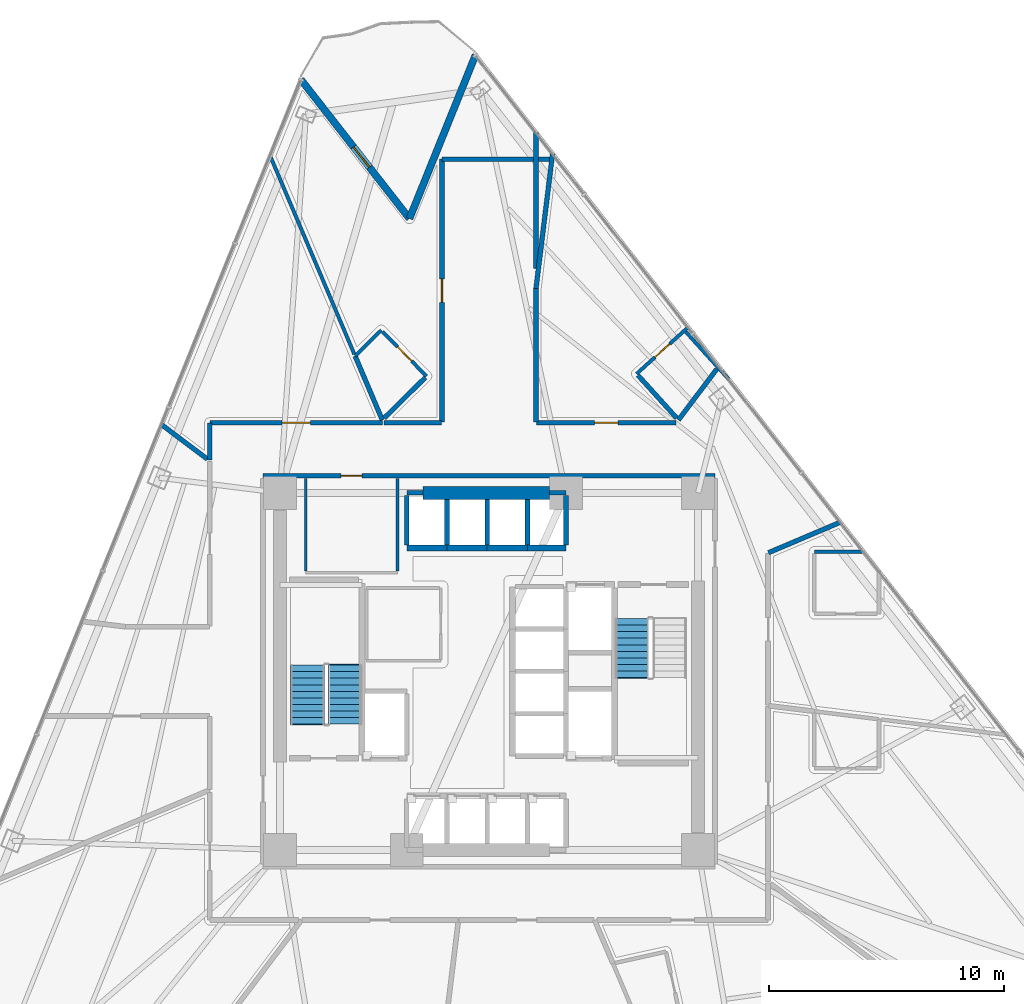
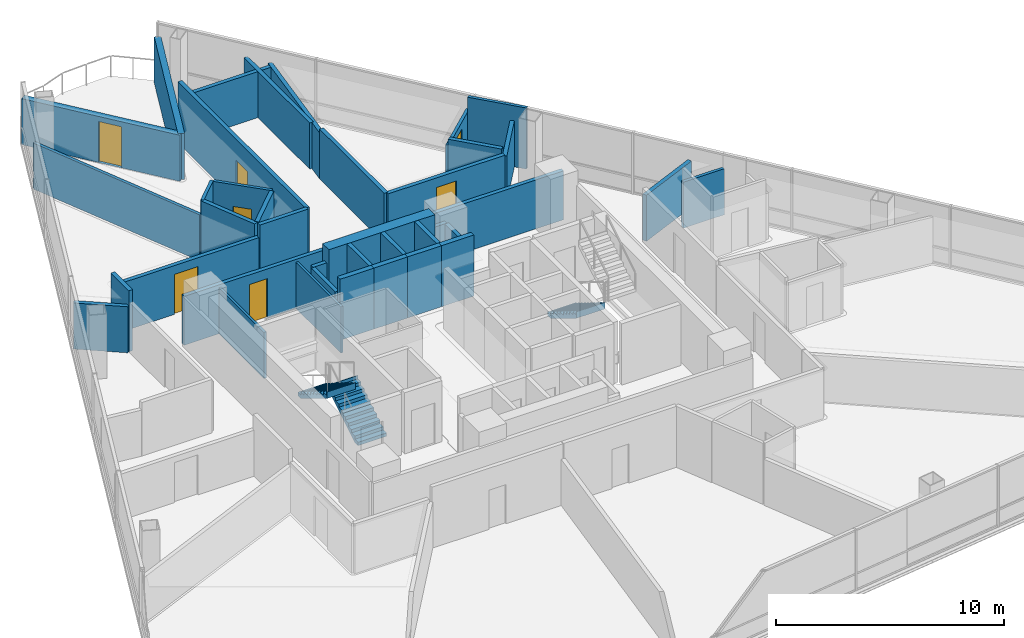
# One storey, part 9 of 15: 39 walls, 7 doors, 3 stair flights, 7 openings, 2 elements without a shape of their own.
"""IFC4 building model written with IfcOpenShell, lengths in metres."""

from ifc_helpers import new_model, si_unit, direction, frame, frame_2d, origin, place, context, subcontext, project, spatial, polyline, rectangle, outline, extrude, material, layer, layer_set, type_object, element, fill, aggregate, save


model = new_model("IFC4")

# Units and contexts
model_context = context("Model", 3, precision=1e-05, world=origin(), true_north=direction((0.0, 1.0)))
body_context = subcontext(model_context, "Body", "Model", "MODEL_VIEW")
ifc_project = project(units=[si_unit("LENGTHUNIT", "METRE"), si_unit("AREAUNIT", "SQUARE_METRE"), si_unit("VOLUMEUNIT", "CUBIC_METRE"), si_unit("PLANEANGLEUNIT", "RADIAN"), si_unit("MASSUNIT", "GRAM", prefix="KILO")], contexts=[model_context])

# Site, building, storey
site_placement = place(None, origin())
site = spatial("IfcSite", under=ifc_project, at=site_placement, CompositionType="ELEMENT")
building_placement = place(site_placement, origin())
building = spatial("IfcBuilding", under=site, at=building_placement, Name="Tharavind Bronze Gate", CompositionType="ELEMENT")
storey_placement = place(building_placement, frame((0.0, 0.0, 74.199951171875)))
storey = spatial("IfcBuildingStorey", under=building, at=storey_placement, Name="L18", CompositionType="ELEMENT", Elevation=74.199951171875)

# Wall
ifc_material_1 = material(Name="Concrete C40/50", Category="concrete")
ifc_layer_1 = layer(ifc_material_1, 0.300048828125)
ifc_layer_set_1 = layer_set([ifc_layer_1], Name="Concrete C40/50")
wall_type_1 = type_object("IfcWallType", Name="EXTERIOR SPANDREL WALL 300", PredefinedType="STANDARD", material=ifc_layer_set_1)
wall_1_placement = place(storey_placement, frame((-0.57373046875, 26.226806640625, 0.0), z_axis=(0.0, 0.0, 1.0), x_axis=(-0.374609979755, -0.92718248639, 0.0)))
element("IfcWall", 1, at=wall_1_placement, inside=storey, type_object=wall_type_1, Name="L18 notch cheek wall 1A", PredefinedType="STANDARD", context=body_context, shape_type="SweptSolid", body=[
    extrude(rectangle(XDim=7.5, YDim=0.300048828125, at=frame_2d((3.75, 0.0))), origin(), (0.0, 0.0, 1.0), 2.469970703125),
])

# Wall, opening, door
wall_2_placement = place(storey_placement, frame((-3.38330078125, 19.27294921875, 0.0), z_axis=(0.0, 0.0, 1.0), x_axis=(-0.615654149001, 0.788016477504, 0.0)))
wall_2 = element("IfcWall", 2, at=wall_2_placement, inside=storey, type_object=wall_type_1, Name="L18 notch cheek wall 1B", PredefinedType="STANDARD", context=body_context, shape_type="SweptSolid", body=[
    extrude(rectangle(XDim=7.5, YDim=0.300048828125, at=frame_2d((3.75, 0.0))), origin(), (0.0, 0.0, 1.0), 2.469970703125),
])
opening_1_placement = place(wall_2_placement, frame((2.76806640625, 0.0, 0.0)))
opening_1 = element("IfcOpeningElement", 3, at=opening_1_placement, cuts=wall_2, Name="Opening ED04", PredefinedType="OPENING", context=body_context, shape_type="SweptSolid", body=[
    extrude(rectangle(XDim=1.10009765625, YDim=2.199951171875, at=frame_2d((0.550048828125, 1.10009765625))), frame((0.0, 0.15990234375, 0.0), z_axis=(0.0, -1.0, 0.0), x_axis=(1.0, 0.0, 0.0)), (0.0, 0.0, 1.0), 0.320048828125),
])
ifc_material_2 = material(Name="Bronze Aluminium & Toughened Glass", Category="aluminium")
door_type_1 = type_object("IfcDoorType", Name="TREE BALCONY ACCESS DOOR 1100X2200", OperationType="SINGLE_SWING_LEFT", PredefinedType="DOOR", material=ifc_material_2)
door_1_placement = place(opening_1_placement, origin())
door_1 = element("IfcDoor", 4, at=door_1_placement, inside=storey, type_object=door_type_1, Name="L18 tree balcony access door", OperationType="SINGLE_SWING_LEFT", OverallHeight=2.199951171875, OverallWidth=1.10009765625, PredefinedType="DOOR", context=body_context, shape_type="SweptSolid", body=[
    extrude(rectangle(XDim=1.10009765625, YDim=2.199951171875, at=frame_2d((0.550048828125, 1.10009765625))), frame((0.0, 0.02490234375, 0.0), z_axis=(0.0, -1.0, 0.0), x_axis=(1.0, 0.0, 0.0)), (0.0, 0.0, 1.0), 0.050048828125),
])
fill(opening_1, door_1)

ifc_material_3 = material(Name="Aerated Concrete Block", Category="concrete")
ifc_layer_2 = layer(ifc_material_3, 0.199951171875)
ifc_layer_set_2 = layer_set([ifc_layer_2], Name="Aerated Concrete Block")
wall_type_2 = type_object("IfcWallType", Name="FIRE RATED PARTITION 200", PredefinedType="PARTITIONING", material=ifc_layer_set_2)
wall_3_placement = place(storey_placement, frame((9.6201171875, 8.320068359375, 0.0), z_axis=(0.0, 0.0, 1.0), x_axis=(-1.0, 0.0, 0.0)))
wall_3 = element("IfcWall", 5, at=wall_3_placement, inside=storey, type_object=wall_type_2, Name="L18 north core corridor wall", PredefinedType="PARTITIONING", context=body_context, shape_type="SweptSolid", body=[
    extrude(rectangle(XDim=19.240234375, YDim=0.199951171875, at=frame_2d((9.6201171875, 0.0))), origin(), (0.0, 0.0, 1.0), 2.6201171875),
])
opening_2_placement = place(wall_3_placement, frame((15.02001953125, 0.0, 0.0)))
opening_2 = element("IfcOpeningElement", 6, at=opening_2_placement, cuts=wall_3, Name="Opening ID07", PredefinedType="OPENING", context=body_context, shape_type="SweptSolid", body=[
    extrude(rectangle(XDim=0.89990234375, YDim=2.10009765625, at=frame_2d((0.449951171875, 1.050048828125))), frame((0.0, 0.11009765625, 0.0), z_axis=(0.0, -1.0, 0.0), x_axis=(1.0, 0.0, 0.0)), (0.0, 0.0, 1.0), 0.219951171875),
])
ifc_material_4 = material(Name="Galvanised Fire Steel", Category="steel")
door_type_2 = type_object("IfcDoorType", Name="PLANT AND RISER FIRE DOOR 900X2100", OperationType="SINGLE_SWING_LEFT", PredefinedType="DOOR", material=ifc_material_4)
door_2_placement = place(opening_2_placement, frame((0.89990234375, 0.0, 0.0), z_axis=(0.0, 0.0, 1.0), x_axis=(-1.0, 0.0, 0.0)))
door_2 = element("IfcDoor", 7, at=door_2_placement, inside=storey, type_object=door_type_2, Name="L18 Electrical Switch Room fire door", OperationType="SINGLE_SWING_LEFT", OverallHeight=2.10009765625, OverallWidth=0.89990234375, PredefinedType="DOOR", context=body_context, shape_type="SweptSolid", body=[
    extrude(rectangle(XDim=0.89990234375, YDim=2.10009765625, at=frame_2d((0.449951171875, 1.050048828125))), frame((0.0, 0.02490234375, 0.0), z_axis=(0.0, -1.0, 0.0), x_axis=(1.0, 0.0, 0.0)), (0.0, 0.0, 1.0), 0.050048828125),
])
fill(opening_2, door_2)

# Walls
wall_4_placement = place(storey_placement, frame((9.69921875, 12.87109375, 0.0), z_axis=(0.0, 0.0, 1.0), x_axis=(-0.601851899486, -0.798607720401, 0.0)))
element("IfcWall", 8, at=wall_4_placement, inside=storey, type_object=wall_type_2, Name="L18 En-Suite Bathroom partition", PredefinedType="PARTITIONING", context=body_context, shape_type="SweptSolid", body=[
    extrude(rectangle(XDim=2.71875, YDim=0.199951171875, at=frame_2d((1.359375, 0.0))), origin(), (0.0, 0.0, 1.0), 2.469970703125),
])
wall_5_placement = place(storey_placement, frame((7.9912109375, 10.779296875, 0.0), z_axis=(0.0, 0.0, 1.0), x_axis=(-0.671043084401, 0.741418356178, 0.0)))
element("IfcWall", 9, at=wall_5_placement, inside=storey, type_object=wall_type_2, Name="L18 En-Suite Bathroom partition", PredefinedType="PARTITIONING", context=body_context, shape_type="SweptSolid", body=[
    extrude(rectangle(XDim=2.463134765625, YDim=0.199951171875, at=frame_2d((1.2314453125, 0.0))), origin(), (0.0, 0.0, 1.0), 2.8701171875),
])
wall_6_placement = place(storey_placement, frame((-4.5419921875, 10.699951171875, 0.0), z_axis=(0.0, 0.0, 1.0), x_axis=(-0.390708837986, 0.920514314891, 0.0)))
element("IfcWall", 10, at=wall_6_placement, inside=storey, type_object=wall_type_2, Name="L18 En-Suite Bathroom partition", PredefinedType="PARTITIONING", context=body_context, shape_type="SweptSolid", body=[
    extrude(rectangle(XDim=2.95751953125, YDim=0.199951171875, at=frame_2d((1.478759765625, 0.0))), origin(), (0.0, 0.0, 1.0), 3.275146484375),
])
wall_7_placement = place(storey_placement, frame((-2.71142578125, 12.50390625, 0.0), z_axis=(0.0, 0.0, 1.0), x_axis=(-0.712254930427, -0.701920874517, 0.0)))
element("IfcWall", 11, at=wall_7_placement, inside=storey, type_object=wall_type_2, Name="L18 En-Suite Bathroom partition", PredefinedType="PARTITIONING", context=body_context, shape_type="SweptSolid", body=[
    extrude(rectangle(XDim=2.45703125, YDim=0.199951171875, at=frame_2d((1.228515625, 0.0))), origin(), (0.0, 0.0, 1.0), 3.275146484375),
])

# Wall, opening, door
wall_8_placement = place(storey_placement, frame((7.960205078125, 10.580078125, 0.0), z_axis=(0.0, 0.0, 1.0), x_axis=(-1.0, 0.0, 0.0)))
wall_8 = element("IfcWall", 12, at=wall_8_placement, inside=storey, type_object=wall_type_2, Name="L18 Presidential Hotel Suite partition", PredefinedType="PARTITIONING", context=body_context, shape_type="SweptSolid", body=[
    extrude(rectangle(XDim=5.935302734375, YDim=0.199951171875, at=frame_2d((2.9677734375, 0.0))), origin(), (0.0, 0.0, 1.0), 2.670166015625),
])
opening_3_placement = place(wall_8_placement, frame((2.468017578125, 0.0, 0.0)))
opening_3 = element("IfcOpeningElement", 13, at=opening_3_placement, cuts=wall_8, Name="Opening ID03", PredefinedType="OPENING", context=body_context, shape_type="SweptSolid", body=[
    extrude(rectangle(XDim=1.0, YDim=2.14990234375, at=frame_2d((0.5, 1.074951171875))), frame((0.0, 0.11009765625, 0.0), z_axis=(0.0, -1.0, 0.0), x_axis=(1.0, 0.0, 0.0)), (0.0, 0.0, 1.0), 0.219951171875),
])
ifc_material_5 = material(Name="Solid Timber Veneer", Category="wood")
door_type_3 = type_object("IfcDoorType", Name="HOTEL SUITE ENTRANCE DOOR 1000X2150", OperationType="SINGLE_SWING_LEFT", PredefinedType="DOOR", material=ifc_material_5)
door_3_placement = place(opening_3_placement, origin())
door_3 = element("IfcDoor", 14, at=door_3_placement, inside=storey, type_object=door_type_3, Name="L18 Presidential Hotel Suite door", OperationType="SINGLE_SWING_LEFT", OverallHeight=2.14990234375, OverallWidth=1.0, PredefinedType="DOOR", context=body_context, shape_type="SweptSolid", body=[
    extrude(rectangle(XDim=1.0, YDim=2.14990234375, at=frame_2d((0.5, 1.074951171875))), frame((0.0, 0.02490234375, 0.0), z_axis=(0.0, -1.0, 0.0), x_axis=(1.0, 0.0, 0.0)), (0.0, 0.0, 1.0), 0.050048828125),
])
fill(opening_3, door_3)

# Walls
wall_9_placement = place(storey_placement, frame((2.0, 10.60498046875, 0.0), z_axis=(0.0, 0.0, 1.0), x_axis=(0.0, 1.0, 0.0)))
element("IfcWall", 15, at=wall_9_placement, inside=storey, type_object=wall_type_2, Name="L18 Presidential Hotel Suite partition", PredefinedType="PARTITIONING", context=body_context, shape_type="SweptSolid", body=[
    extrude(rectangle(XDim=5.68212890625, YDim=0.199951171875, at=frame_2d((2.841064453125, 0.0))), origin(), (0.0, 0.0, 1.0), 2.670166015625),
])
wall_10_placement = place(storey_placement, frame((2.000244140625, 16.290283203125, 0.0), z_axis=(0.0, 0.0, 1.0), x_axis=(0.121873061491, 0.992545695111, 0.0)))
element("IfcWall", 16, at=wall_10_placement, inside=storey, type_object=wall_type_2, Name="L18 Presidential Hotel Suite partition", PredefinedType="PARTITIONING", context=body_context, shape_type="SweptSolid", body=[
    extrude(rectangle(XDim=5.783447265625, YDim=0.199951171875, at=frame_2d((2.8916015625, 0.0))), origin(), (0.0, 0.0, 1.0), 2.469970703125),
])
wall_11_placement = place(storey_placement, frame((2.0, 17.150146484375, 0.0), z_axis=(0.0, 0.0, 1.0), x_axis=(0.0, 1.0, 0.0)))
element("IfcWall", 17, at=wall_11_placement, inside=storey, type_object=wall_type_2, Name="L18 Royal Hotel Suite partition", PredefinedType="PARTITIONING", context=body_context, shape_type="SweptSolid", body=[
    extrude(rectangle(XDim=5.782470703125, YDim=0.199951171875, at=frame_2d((2.89111328125, 0.0))), origin(), (0.0, 0.0, 1.0), 2.469970703125),
])
wall_12_placement = place(storey_placement, frame((2.57080078125, 21.800048828125, 0.0), z_axis=(0.0, 0.0, 1.0), x_axis=(-1.0, 0.0, 0.0)))
element("IfcWall", 18, at=wall_12_placement, inside=storey, type_object=wall_type_2, Name="L18 Royal Hotel Suite partition", PredefinedType="PARTITIONING", context=body_context, shape_type="SweptSolid", body=[
    extrude(rectangle(XDim=0.4658203125, YDim=0.199951171875, at=frame_2d((0.23291015625, 0.0))), origin(), (0.0, 0.0, 1.0), 2.469970703125),
])
wall_13_placement = place(storey_placement, frame((1.89501953125, 21.800048828125, 0.0), z_axis=(0.0, 0.0, 1.0), x_axis=(-1.0, 0.0, 0.0)))
element("IfcWall", 19, at=wall_13_placement, inside=storey, type_object=wall_type_2, Name="L18 Royal Hotel Suite partition", PredefinedType="PARTITIONING", context=body_context, shape_type="SweptSolid", body=[
    extrude(rectangle(XDim=3.89453125, YDim=0.199951171875, at=frame_2d((1.947265625, 0.0))), origin(), (0.0, 0.0, 1.0), 2.469970703125),
])

# Wall, opening, door
wall_14_placement = place(storey_placement, frame((-2.0, 21.79931640625, 0.0), z_axis=(0.0, 0.0, 1.0), x_axis=(0.0, -1.0, 0.0)))
wall_14 = element("IfcWall", 20, at=wall_14_placement, inside=storey, type_object=wall_type_2, Name="L18 Royal Hotel Suite partition", PredefinedType="PARTITIONING", context=body_context, shape_type="SweptSolid", body=[
    extrude(rectangle(XDim=11.1943359375, YDim=0.199951171875, at=frame_2d((5.59716796875, 0.0))), origin(), (0.0, 0.0, 1.0), 3.275146484375),
])
opening_4_placement = place(wall_14_placement, frame((5.096923828125, 0.0, 0.0)))
opening_4 = element("IfcOpeningElement", 21, at=opening_4_placement, cuts=wall_14, Name="Opening ID03", PredefinedType="OPENING", context=body_context, shape_type="SweptSolid", body=[
    extrude(rectangle(XDim=1.0, YDim=2.14990234375, at=frame_2d((0.5, 1.074951171875))), frame((0.0, 0.11009765625, 0.0), z_axis=(0.0, -1.0, 0.0), x_axis=(1.0, 0.0, 0.0)), (0.0, 0.0, 1.0), 0.219951171875),
])
door_4_placement = place(opening_4_placement, origin())
door_4 = element("IfcDoor", 22, at=door_4_placement, inside=storey, type_object=door_type_3, Name="L18 Royal Hotel Suite door", OperationType="SINGLE_SWING_LEFT", OverallHeight=2.14990234375, OverallWidth=1.0, PredefinedType="DOOR", context=body_context, shape_type="SweptSolid", body=[
    extrude(rectangle(XDim=1.0, YDim=2.14990234375, at=frame_2d((0.5, 1.074951171875))), frame((0.0, 0.02490234375, 0.0), z_axis=(0.0, -1.0, 0.0), x_axis=(1.0, 0.0, 0.0)), (0.0, 0.0, 1.0), 0.050048828125),
])
fill(opening_4, door_4)

# Walls
wall_15_placement = place(storey_placement, frame((-2.02490234375, 10.580078125, 0.0), z_axis=(0.0, 0.0, 1.0), x_axis=(-1.0, 0.0, 0.0)))
element("IfcWall", 23, at=wall_15_placement, inside=storey, type_object=wall_type_2, Name="L18 Royal Hotel Suite partition", PredefinedType="PARTITIONING", context=body_context, shape_type="SweptSolid", body=[
    extrude(rectangle(XDim=2.449462890625, YDim=0.199951171875, at=frame_2d((1.224609375, 0.0))), origin(), (0.0, 0.0, 1.0), 3.275146484375),
])
wall_16_placement = place(storey_placement, frame((-11.8798828125, 10.579345703125, 0.0), z_axis=(0.0, 0.0, 1.0), x_axis=(0.0, -1.0, 0.0)))
element("IfcWall", 24, at=wall_16_placement, inside=storey, type_object=wall_type_2, Name="L18 Hotel Wellness Spa Salon partition", PredefinedType="PARTITIONING", context=body_context, shape_type="SweptSolid", body=[
    extrude(rectangle(XDim=1.576904296875, YDim=0.199951171875, at=frame_2d((0.78857421875, 0.0))), origin(), (0.0, 0.0, 1.0), 3.275146484375),
])
wall_17_placement = place(storey_placement, frame((-11.985107421875, 9.031494140625, 0.0), z_axis=(0.0, 0.0, 1.0), x_axis=(-0.798678535853, 0.601757921733, 0.0)))
element("IfcWall", 25, at=wall_17_placement, inside=storey, type_object=wall_type_2, Name="L18 Hotel Wellness Spa Salon partition", PredefinedType="PARTITIONING", context=body_context, shape_type="SweptSolid", body=[
    extrude(rectangle(XDim=2.420166015625, YDim=0.199951171875, at=frame_2d((1.2099609375, 0.0))), origin(), (0.0, 0.0, 1.0), 2.469970703125),
])

# Wall, opening, door
wall_18_placement = place(storey_placement, frame((-4.52880859375, 10.580078125, 0.0), z_axis=(0.0, 0.0, 1.0), x_axis=(-1.0, 0.0, 0.0)))
wall_18 = element("IfcWall", 26, at=wall_18_placement, inside=storey, type_object=wall_type_2, Name="L18 Hotel Wellness Spa Salon partition", PredefinedType="PARTITIONING", context=body_context, shape_type="SweptSolid", body=[
    extrude(rectangle(XDim=7.3505859375, YDim=0.199951171875, at=frame_2d((3.67529296875, 0.0))), origin(), (0.0, 0.0, 1.0), 2.6201171875),
])
opening_5_placement = place(wall_18_placement, frame((3.074951171875, 0.0, 0.0)))
opening_5 = element("IfcOpeningElement", 27, at=opening_5_placement, cuts=wall_18, Name="Opening ID05", PredefinedType="OPENING", context=body_context, shape_type="SweptSolid", body=[
    extrude(rectangle(XDim=1.199951171875, YDim=2.14990234375, at=frame_2d((0.60009765625, 1.074951171875))), frame((0.0, 0.11009765625, 0.0), z_axis=(0.0, -1.0, 0.0), x_axis=(1.0, 0.0, 0.0)), (0.0, 0.0, 1.0), 0.219951171875),
])
ifc_material_6 = material(Name="Acoustic Laminated Glass", Category="glass")
door_type_4 = type_object("IfcDoorType", Name="MEETING ROOM GLAZED DOOR 1200X2150", OperationType="SINGLE_SWING_LEFT", PredefinedType="DOOR", material=ifc_material_6)
door_5_placement = place(opening_5_placement, origin())
door_5 = element("IfcDoor", 28, at=door_5_placement, inside=storey, type_object=door_type_4, Name="L18 Hotel Wellness Spa Salon door", OperationType="SINGLE_SWING_LEFT", OverallHeight=2.14990234375, OverallWidth=1.199951171875, PredefinedType="DOOR", context=body_context, shape_type="SweptSolid", body=[
    extrude(rectangle(XDim=1.199951171875, YDim=2.14990234375, at=frame_2d((0.60009765625, 1.074951171875))), frame((0.0, 0.02490234375, 0.0), z_axis=(0.0, -1.0, 0.0), x_axis=(1.0, 0.0, 0.0)), (0.0, 0.0, 1.0), 0.050048828125),
])
fill(opening_5, door_5)

# Walls
wall_19_placement = place(storey_placement, frame((11.895263671875, 5.04931640625, 0.0), z_axis=(0.0, 0.0, 1.0), x_axis=(0.920514200592, 0.390709107277, 0.0)))
element("IfcWall", 29, at=wall_19_placement, inside=storey, type_object=wall_type_2, Name="L18 Royal Hotel Suite partition", PredefinedType="PARTITIONING", context=body_context, shape_type="SweptSolid", body=[
    extrude(rectangle(XDim=3.306884765625, YDim=0.199951171875, at=frame_2d((1.6533203125, 0.0))), origin(), (0.0, 0.0, 1.0), 2.469970703125),
])
ifc_material_7 = material(Name="Metal Stud Gypsum Partition", Category="gypsum")
ifc_layer_3 = layer(ifc_material_7, 0.1201171875)
ifc_layer_set_3 = layer_set([ifc_layer_3], Name="Metal Stud Gypsum Partition")
wall_type_3 = type_object("IfcWallType", Name="INTERIOR PARTITION WALL 120", PredefinedType="PARTITIONING", material=ifc_layer_set_3)
for number, where, z_axis, x_axis, name in (
    (30, (-3.89990234375, 4.264892578125, 0.0), (0.0, 0.0, 1.0), (0.0, 1.0, 0.0), "L18 Electrical Switch Room partition 2"),
    (31, (-7.800048828125, 8.215087890625, 0.0), (0.0, 0.0, 1.0), (0.0, -1.0, 0.0), "L18 Electrical Switch Room partition 4"),
):
    element("IfcWall", number, at=place(storey_placement, frame(where, z_axis=z_axis, x_axis=x_axis)), inside=storey, type_object=wall_type_3, Name=name, PredefinedType="PARTITIONING", context=body_context, shape_type="SweptSolid", body=[
        extrude(rectangle(XDim=3.9501953125, YDim=0.1201171875, at=frame_2d((1.97509765625, 0.0))), origin(), (0.0, 0.0, 1.0), 2.469970703125),
    ])

# Wall, opening, door
ifc_material_8 = material(Name="Twin Stud Acoustic Gypsum", Category="gypsum")
ifc_layer_4 = layer(ifc_material_8, 0.14990234375)
ifc_layer_set_4 = layer_set([ifc_layer_4], Name="Twin Stud Acoustic Gypsum")
wall_type_4 = type_object("IfcWallType", Name="INTERIOR PARTITION WALL 150", PredefinedType="PARTITIONING", material=ifc_layer_set_4)
wall_20_placement = place(storey_placement, frame((6.28466796875, 12.664794921875, 0.0), z_axis=(0.0, 0.0, 1.0), x_axis=(0.741449590734, 0.671008572524, 0.0)))
wall_20 = element("IfcWall", 32, at=wall_20_placement, inside=storey, type_object=wall_type_4, Name="L18 En-Suite Bathroom partition", PredefinedType="PARTITIONING", context=body_context, shape_type="SweptSolid", body=[
    extrude(rectangle(XDim=2.952880859375, YDim=0.14990234375, at=frame_2d((1.4765625, 0.0))), origin(), (0.0, 0.0, 1.0), 2.469970703125),
])
opening_6_placement = place(wall_20_placement, frame((1.052001953125, 0.0, 0.0)))
opening_6 = element("IfcOpeningElement", 33, at=opening_6_placement, cuts=wall_20, Name="Opening ID06", PredefinedType="OPENING", context=body_context, shape_type="SweptSolid", body=[
    extrude(rectangle(XDim=0.85009765625, YDim=2.10009765625, at=frame_2d((0.425048828125, 1.050048828125))), frame((0.0, 0.084951171875, 0.0), z_axis=(0.0, -1.0, 0.0), x_axis=(1.0, 0.0, 0.0)), (0.0, 0.0, 1.0), 0.16990234375),
])
ifc_material_9 = material(Name="Moisture-Resistant Timber", Category="wood")
door_type_5 = type_object("IfcDoorType", Name="BATHROOM PRIVACY DOOR 850X2100", OperationType="SINGLE_SWING_RIGHT", PredefinedType="DOOR", material=ifc_material_9)
door_6_placement = place(opening_6_placement, origin())
door_6 = element("IfcDoor", 34, at=door_6_placement, inside=storey, type_object=door_type_5, Name="L18 En-Suite Bathroom door", OperationType="SINGLE_SWING_RIGHT", OverallHeight=2.10009765625, OverallWidth=0.85009765625, PredefinedType="DOOR", context=body_context, shape_type="SweptSolid", body=[
    extrude(rectangle(XDim=0.85009765625, YDim=2.10009765625, at=frame_2d((0.425048828125, 1.050048828125))), frame((0.0, 0.02490234375, 0.0), z_axis=(0.0, -1.0, 0.0), x_axis=(1.0, 0.0, 0.0)), (0.0, 0.0, 1.0), 0.050048828125),
])
fill(opening_6, door_6)

# Walls
wall_21_placement = place(storey_placement, frame((8.377197265625, 14.45068359375, 0.0), z_axis=(0.0, 0.0, 1.0), x_axis=(0.671106200025, -0.741361226588, 0.0)))
element("IfcWall", 35, at=wall_21_placement, inside=storey, type_object=wall_type_4, Name="L18 En-Suite Bathroom partition", PredefinedType="PARTITIONING", context=body_context, shape_type="SweptSolid", body=[
    extrude(rectangle(XDim=2.717529296875, YDim=0.14990234375, at=frame_2d((1.35888671875, 0.0))), origin(), (0.0, 0.0, 1.0), 3.275146484375),
])
wall_22_placement = place(storey_placement, frame((-5.697509765625, 13.42236328125, 0.0), z_axis=(0.0, 0.0, 1.0), x_axis=(0.712245773313, 0.701930166326, 0.0)))
element("IfcWall", 36, at=wall_22_placement, inside=storey, type_object=wall_type_4, Name="L18 En-Suite Bathroom partition", PredefinedType="PARTITIONING", context=body_context, shape_type="SweptSolid", body=[
    extrude(rectangle(XDim=1.56201171875, YDim=0.14990234375, at=frame_2d((0.781005859375, 0.0))), origin(), (0.0, 0.0, 1.0), 3.275146484375),
])

# Wall, opening, door
wall_23_placement = place(storey_placement, frame((-4.52880859375, 14.4619140625, 0.0), z_axis=(0.0, 0.0, 1.0), x_axis=(0.701967725966, -0.712208755705, 0.0)))
wall_23 = element("IfcWall", 37, at=wall_23_placement, inside=storey, type_object=wall_type_4, Name="L18 En-Suite Bathroom partition", PredefinedType="PARTITIONING", context=body_context, shape_type="SweptSolid", body=[
    extrude(rectangle(XDim=2.669921875, YDim=0.14990234375, at=frame_2d((1.3349609375, 0.0))), origin(), (0.0, 0.0, 1.0), 3.275146484375),
])
opening_7_placement = place(wall_23_placement, frame((0.909912109375, 0.0, 0.0)))
opening_7 = element("IfcOpeningElement", 38, at=opening_7_placement, cuts=wall_23, Name="Opening ID06", PredefinedType="OPENING", context=body_context, shape_type="SweptSolid", body=[
    extrude(rectangle(XDim=0.85009765625, YDim=2.10009765625, at=frame_2d((0.425048828125, 1.050048828125))), frame((0.0, 0.084951171875, 0.0), z_axis=(0.0, -1.0, 0.0), x_axis=(1.0, 0.0, 0.0)), (0.0, 0.0, 1.0), 0.16990234375),
])
door_7_placement = place(opening_7_placement, origin())
door_7 = element("IfcDoor", 39, at=door_7_placement, inside=storey, type_object=door_type_5, Name="L18 En-Suite Bathroom door", OperationType="SINGLE_SWING_RIGHT", OverallHeight=2.10009765625, OverallWidth=0.85009765625, PredefinedType="DOOR", context=body_context, shape_type="SweptSolid", body=[
    extrude(rectangle(XDim=0.85009765625, YDim=2.10009765625, at=frame_2d((0.425048828125, 1.050048828125))), frame((0.0, 0.02490234375, 0.0), z_axis=(0.0, -1.0, 0.0), x_axis=(1.0, 0.0, 0.0)), (0.0, 0.0, 1.0), 0.050048828125),
])
fill(opening_7, door_7)

# Walls
wall_24_placement = place(storey_placement, frame((13.85009765625, 5.09375, 0.0), z_axis=(0.0, 0.0, 1.0), x_axis=(1.0, 0.0, 0.0)))
element("IfcWall", 40, at=wall_24_placement, inside=storey, type_object=wall_type_4, Name="L18 En-Suite Bathroom partition", PredefinedType="PARTITIONING", context=body_context, shape_type="SweptSolid", body=[
    extrude(rectangle(XDim=2.08740234375, YDim=0.14990234375, at=frame_2d((1.043701171875, 0.0))), origin(), (0.0, 0.0, 1.0), 2.469970703125),
])
wall_25_placement = place(storey_placement, frame((-5.73095703125, 13.50146484375, 0.0), z_axis=(0.0, 0.0, 1.0), x_axis=(-0.390736816807, 0.920502438884, 0.0)))
element("IfcWall", 41, at=wall_25_placement, inside=storey, type_object=wall_type_4, Name="L18 Royal Hotel Suite partition", PredefinedType="PARTITIONING", context=body_context, shape_type="SweptSolid", body=[
    extrude(rectangle(XDim=9.154296875, YDim=0.14990234375, at=frame_2d((4.5771484375, 0.0))), origin(), (0.0, 0.0, 1.0), 2.469970703125),
])
ifc_material_10 = material(Name="Concrete C50/60", Category="concrete")
ifc_layer_5 = layer(ifc_material_10, 0.25)
ifc_layer_set_5 = layer_set([ifc_layer_5], Name="Concrete C50/60")
wall_type_5 = type_object("IfcWallType", Name="RC CORE SHEAR WALL 250", PredefinedType="SHEAR", material=ifc_layer_set_5)
wall_26_placement = place(storey_placement, frame((-3.5, 5.25, 0.0), z_axis=(0.0, 0.0, 1.0), x_axis=(1.0, 0.0, 0.0)))
element("IfcWall", 42, at=wall_26_placement, inside=storey, type_object=wall_type_5, Name="L18 lift PL5 shaft front wall", PredefinedType="SHEAR", context=body_context, shape_type="SweptSolid", body=[
    extrude(rectangle(XDim=1.71240234375, YDim=0.25, at=frame_2d((0.856201171875, 0.0))), origin(), (0.0, 0.0, 1.0), 3.275146484375),
])
wall_27_placement = place(storey_placement, frame((-1.78759765625, 5.25, 0.0), z_axis=(0.0, 0.0, 1.0), x_axis=(1.0, 0.0, 0.0)))
element("IfcWall", 43, at=wall_27_placement, inside=storey, type_object=wall_type_5, Name="L18 lift PL6 shaft front wall", PredefinedType="SHEAR", context=body_context, shape_type="SweptSolid", body=[
    extrude(rectangle(XDim=1.712646484375, YDim=0.25, at=frame_2d((0.8564453125, 0.0))), origin(), (0.0, 0.0, 1.0), 3.275146484375),
])
wall_28_placement = place(storey_placement, frame((-0.074951171875, 5.25, 0.0), z_axis=(0.0, 0.0, 1.0), x_axis=(1.0, 0.0, 0.0)))
element("IfcWall", 44, at=wall_28_placement, inside=storey, type_object=wall_type_5, Name="L18 lift PL7 shaft front wall", PredefinedType="SHEAR", context=body_context, shape_type="SweptSolid", body=[
    extrude(rectangle(XDim=1.71240234375, YDim=0.25, at=frame_2d((0.856201171875, 0.0))), origin(), (0.0, 0.0, 1.0), 3.275146484375),
])
wall_29_placement = place(storey_placement, frame((1.637451171875, 5.25, 0.0), z_axis=(0.0, 0.0, 1.0), x_axis=(1.0, 0.0, 0.0)))
element("IfcWall", 45, at=wall_29_placement, inside=storey, type_object=wall_type_5, Name="L18 lift PL8 shaft front wall", PredefinedType="SHEAR", context=body_context, shape_type="SweptSolid", body=[
    extrude(rectangle(XDim=1.642578125, YDim=0.25, at=frame_2d((0.8212890625, 0.0))), origin(), (0.0, 0.0, 1.0), 3.275146484375),
])
ifc_material_11 = material(Name="Concrete C60/75", Category="concrete")
ifc_layer_6 = layer(ifc_material_11, 0.550048828125)
ifc_layer_set_6 = layer_set([ifc_layer_6], Name="Concrete C60/75")
wall_type_6 = type_object("IfcWallType", Name="RC CORE SHEAR WALL 550", PredefinedType="SHEAR", material=ifc_layer_set_6)
wall_30_placement = place(storey_placement, frame((-2.800048828125, 7.60009765625, 0.0), z_axis=(0.0, 0.0, 1.0), x_axis=(1.0, 0.0, 0.0)))
element("IfcWall", 46, at=wall_30_placement, inside=storey, type_object=wall_type_6, Name="L18 north core shear wall", PredefinedType="SHEAR", context=body_context, shape_type="SweptSolid", body=[
    extrude(rectangle(XDim=5.380126953125, YDim=0.550048828125, at=frame_2d((2.68994140625, 0.0))), origin(), (0.0, 0.0, 1.0), 3.275146484375),
])
ifc_layer_7 = layer(ifc_material_1, 0.199951171875)
ifc_layer_set_7 = layer_set([ifc_layer_7], Name="Concrete C40/50")
wall_type_7 = type_object("IfcWallType", Name="SHAFT ENCLOSURE WALL 200", PredefinedType="PARTITIONING", material=ifc_layer_set_7)
wall_31_placement = place(storey_placement, frame((-3.5, 7.60009765625, 0.0), z_axis=(0.0, 0.0, 1.0), x_axis=(1.0, 0.0, 0.0)))
element("IfcWall", 47, at=wall_31_placement, inside=storey, type_object=wall_type_7, Name="L18 lift PL5 shaft N enclosure wall", PredefinedType="PARTITIONING", context=body_context, shape_type="SweptSolid", body=[
    extrude(rectangle(XDim=0.699951171875, YDim=0.199951171875, at=frame_2d((0.35009765625, 0.0))), origin(), (0.0, 0.0, 1.0), 2.469970703125),
])
wall_32_placement = place(storey_placement, frame((-3.5, 5.3798828125, 0.0), z_axis=(0.0, 0.0, 1.0), x_axis=(0.0, 1.0, 0.0)))
element("IfcWall", 48, at=wall_32_placement, inside=storey, type_object=wall_type_7, Name="L18 lift PL5 shaft W enclosure wall", PredefinedType="PARTITIONING", context=body_context, shape_type="SweptSolid", body=[
    extrude(rectangle(XDim=2.115234375, YDim=0.199951171875, at=frame_2d((1.0576171875, 0.0))), origin(), (0.0, 0.0, 1.0), 2.469970703125),
])
for number, where, z_axis, x_axis, name in (
    (49, (-1.78759765625, 5.3798828125, 0.0), (0.0, 0.0, 1.0), (0.0, 1.0, 0.0), "L18 lift PL5 shaft E enclosure wall"),
    (50, (-0.074951171875, 5.3798828125, 0.0), (0.0, 0.0, 1.0), (0.0, 1.0, 0.0), "L18 lift PL6 shaft E enclosure wall"),
    (51, (1.637451171875, 5.3798828125, 0.0), (0.0, 0.0, 1.0), (0.0, 1.0, 0.0), "L18 lift PL7 shaft E enclosure wall"),
):
    element("IfcWall", number, at=place(storey_placement, frame(where, z_axis=z_axis, x_axis=x_axis)), inside=storey, type_object=wall_type_7, Name=name, PredefinedType="PARTITIONING", context=body_context, shape_type="SweptSolid", body=[
        extrude(rectangle(XDim=1.940185546875, YDim=0.199951171875, at=frame_2d((0.97021484375, 0.0))), origin(), (0.0, 0.0, 1.0), 3.275146484375),
    ])
wall_33_placement = place(storey_placement, frame((2.580078125, 7.60009765625, 0.0), z_axis=(0.0, 0.0, 1.0), x_axis=(1.0, 0.0, 0.0)))
element("IfcWall", 52, at=wall_33_placement, inside=storey, type_object=wall_type_7, Name="L18 lift PL8 shaft N enclosure wall", PredefinedType="PARTITIONING", context=body_context, shape_type="SweptSolid", body=[
    extrude(rectangle(XDim=0.699951171875, YDim=0.199951171875, at=frame_2d((0.35009765625, 0.0))), origin(), (0.0, 0.0, 1.0), 2.469970703125),
])
wall_34_placement = place(storey_placement, frame((3.280029296875, 5.3798828125, 0.0), z_axis=(0.0, 0.0, 1.0), x_axis=(0.0, 1.0, 0.0)))
element("IfcWall", 53, at=wall_34_placement, inside=storey, type_object=wall_type_7, Name="L18 lift PL8 shaft E enclosure wall", PredefinedType="PARTITIONING", context=body_context, shape_type="SweptSolid", body=[
    extrude(rectangle(XDim=2.115234375, YDim=0.199951171875, at=frame_2d((1.0576171875, 0.0))), origin(), (0.0, 0.0, 1.0), 2.469970703125),
])

# Stair, stair flights
stair_type = type_object("IfcStairType", Name="CORE HALF TURN STAIR 1450", PredefinedType="HALF_TURN_STAIR", material=ifc_material_1)
stair_1_placement = place(storey_placement, origin())
stair_1 = element("IfcStair", 54, at=stair_1_placement, inside=storey, type_object=stair_type, Name="L18 Protected Exit Stair ST1", PredefinedType="HALF_TURN_STAIR")
stair_flight_type = type_object("IfcStairFlightType", Name="CORE STAIR FLIGHT 1450", PredefinedType="STRAIGHT", material=ifc_material_1)
stair_flight_1_placement = place(storey_placement, frame((-6.125, -2.25, 0.0), z_axis=(0.0, 0.0, 1.0), x_axis=(0.0, 1.0, 0.0)))
stair_flight_1 = element("IfcStairFlight", 55, at=stair_flight_1_placement, type_object=stair_flight_type, Name="ST1 flight 1", NumberOfRisers=10, NumberOfTreads=9, PredefinedType="STRAIGHT", RiserHeight=0.1725, TreadLength=0.28, context=body_context, shape_type="SweptSolid", body=[
    extrude(outline(polyline([(0.0, 0.0), (0.0, 0.172607421875), (0.280029296875, 0.172607421875), (0.280029296875, 0.344970703125), (0.56005859375, 0.344970703125), (0.56005859375, 0.517578125), (0.840087890625, 0.517578125), (0.840087890625, 0.68994140625), (1.1201171875, 0.68994140625), (1.1201171875, 0.862548828125), (1.39990234375, 0.862548828125), (1.39990234375, 1.034912109375), (1.679931640625, 1.034912109375), (1.679931640625, 1.20751953125), (1.9599609375, 1.20751953125), (1.9599609375, 1.3798828125), (2.239990234375, 1.3798828125), (2.239990234375, 1.552490234375), (2.52001953125, 1.552490234375), (2.52001953125, 1.72509765625), (2.555908203125, 1.72509765625), (2.555908203125, 1.37646484375), (0.285888671875, 0.0), (0.0, 0.0)])), frame((0.0, 0.72509765625, 0.0), z_axis=(0.0, -1.0, 0.0), x_axis=(1.0, 0.0, 0.0)), (0.0, 0.0, 1.0), 1.449951171875),
])
stair_flight_2_placement = place(storey_placement, frame((-7.72509765625, 0.27001953125, 1.72509765625), z_axis=(0.0, 0.0, 1.0), x_axis=(0.0, -1.0, 0.0)))
stair_flight_2 = element("IfcStairFlight", 56, at=stair_flight_2_placement, type_object=stair_flight_type, Name="ST1 flight 2", NumberOfRisers=10, NumberOfTreads=9, PredefinedType="STRAIGHT", RiserHeight=0.1725, TreadLength=0.28, context=body_context, shape_type="SweptSolid", body=[
    extrude(outline(polyline([(0.0, 0.0), (0.0, 0.172607421875), (0.280029296875, 0.172607421875), (0.280029296875, 0.344970703125), (0.56005859375, 0.344970703125), (0.56005859375, 0.517578125), (0.840087890625, 0.517578125), (0.840087890625, 0.68994140625), (1.1201171875, 0.68994140625), (1.1201171875, 0.862548828125), (1.39990234375, 0.862548828125), (1.39990234375, 1.034912109375), (1.679931640625, 1.034912109375), (1.679931640625, 1.20751953125), (1.9599609375, 1.20751953125), (1.9599609375, 1.3798828125), (2.239990234375, 1.3798828125), (2.239990234375, 1.552490234375), (2.52001953125, 1.552490234375), (2.52001953125, 1.72509765625), (2.555908203125, 1.72509765625), (2.555908203125, 1.37646484375), (0.285888671875, 0.0), (0.0, 0.0)])), frame((0.0, 0.72509765625, 0.0), z_axis=(0.0, -1.0, 0.0), x_axis=(1.0, 0.0, 0.0)), (0.0, 0.0, 1.0), 1.449951171875),
])
aggregate(stair_1, [stair_flight_1, stair_flight_2])

# Stair, stair flight
stair_2_placement = place(storey_placement, origin())
stair_2 = element("IfcStair", 57, at=stair_2_placement, inside=storey, type_object=stair_type, Name="L18 Protected Exit Stair ST2", PredefinedType="HALF_TURN_STAIR")
stair_flight_3_placement = place(storey_placement, frame((6.074951171875, 2.25, 0.0), z_axis=(0.0, 0.0, 1.0), x_axis=(0.0, -1.0, 0.0)))
stair_flight_3 = element("IfcStairFlight", 58, at=stair_flight_3_placement, type_object=stair_flight_type, Name="ST2 flight 1", NumberOfRisers=10, NumberOfTreads=9, PredefinedType="STRAIGHT", RiserHeight=0.1725, TreadLength=0.28, context=body_context, shape_type="SweptSolid", body=[
    extrude(outline(polyline([(0.0, 0.0), (0.0, 0.172607421875), (0.280029296875, 0.172607421875), (0.280029296875, 0.344970703125), (0.56005859375, 0.344970703125), (0.56005859375, 0.517578125), (0.840087890625, 0.517578125), (0.840087890625, 0.68994140625), (1.1201171875, 0.68994140625), (1.1201171875, 0.862548828125), (1.39990234375, 0.862548828125), (1.39990234375, 1.034912109375), (1.679931640625, 1.034912109375), (1.679931640625, 1.20751953125), (1.9599609375, 1.20751953125), (1.9599609375, 1.3798828125), (2.239990234375, 1.3798828125), (2.239990234375, 1.552490234375), (2.52001953125, 1.552490234375), (2.52001953125, 1.72509765625), (2.555908203125, 1.72509765625), (2.555908203125, 1.37646484375), (0.285888671875, 0.0), (0.0, 0.0)])), frame((0.0, 0.72509765625, 0.0), z_axis=(0.0, -1.0, 0.0), x_axis=(1.0, 0.0, 0.0)), (0.0, 0.0, 1.0), 1.449951171875),
])
aggregate(stair_2, [stair_flight_3])

save(model, "model.ifc")
